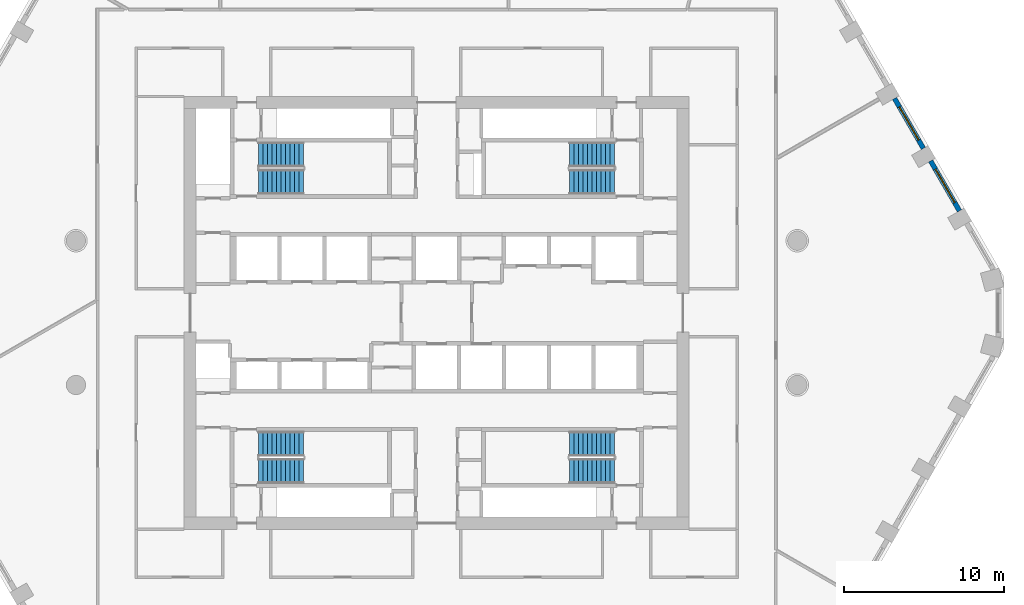
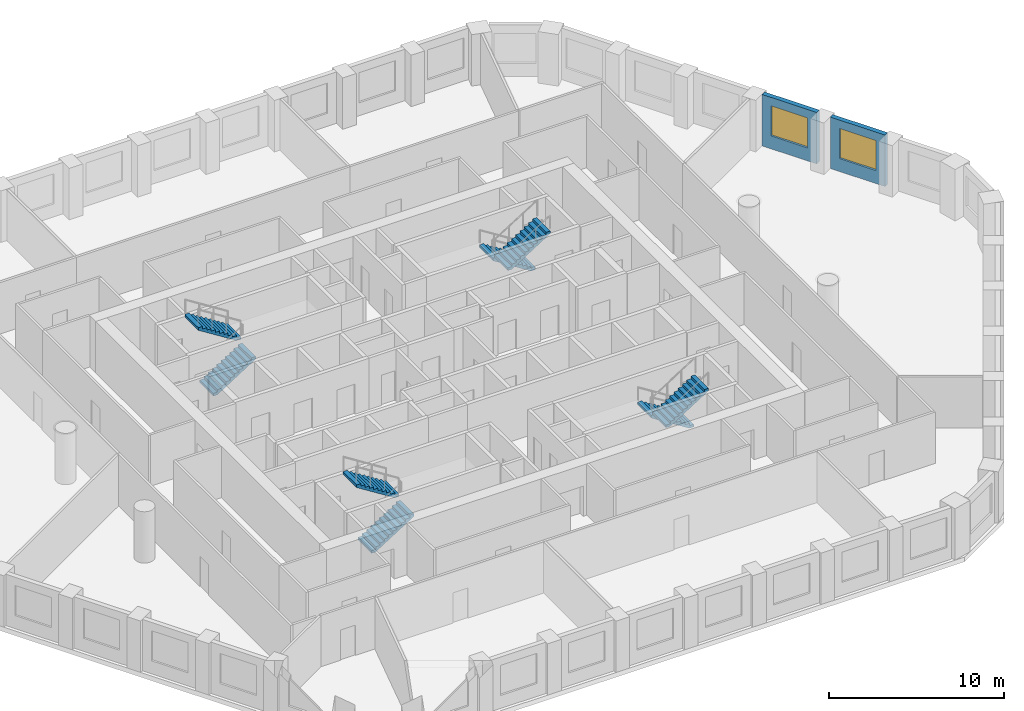
# One storey, part 9 of 14: 8 stair flights, 2 walls, 2 windows, 2 openings, 4 elements without a shape of their own.
"""IFC4 building model written with IfcOpenShell, lengths in metres."""

from ifc_helpers import new_model, si_unit, direction, frame, frame_2d, origin, place, context, subcontext, project, spatial, polyline, rectangle, outline, extrude, material, layer, layer_set, type_object, element, fill, aggregate, save


model = new_model("IFC4")

# Units and contexts
model_context = context("Model", 3, precision=1e-05, world=origin(), true_north=direction((0.0, 1.0)))
body_context = subcontext(model_context, "Body", "Model", "MODEL_VIEW")
ifc_project = project(units=[si_unit("LENGTHUNIT", "METRE"), si_unit("AREAUNIT", "SQUARE_METRE"), si_unit("VOLUMEUNIT", "CUBIC_METRE"), si_unit("PLANEANGLEUNIT", "RADIAN"), si_unit("MASSUNIT", "GRAM", prefix="KILO")], contexts=[model_context])

# Site, building, storey
site_placement = place(None, origin())
site = spatial("IfcSite", under=ifc_project, at=site_placement, CompositionType="ELEMENT")
building_placement = place(site_placement, origin())
building = spatial("IfcBuilding", under=site, at=building_placement, Name="Dhurran Vertical Campus", CompositionType="ELEMENT")
storey_placement = place(building_placement, frame((0.0, 0.0, 136.5)))
storey = spatial("IfcBuildingStorey", under=building, at=storey_placement, Name="L33", CompositionType="ELEMENT", Elevation=136.5)

# Wall, opening, window
ifc_material_1 = material(Name="Precast concrete C50/60", Category="concrete")
ifc_layer = layer(ifc_material_1, 0.300048828125)
ifc_layer_set = layer_set([ifc_layer], Name="Precast concrete C50/60")
wall_type = type_object("IfcWallType", Name="Precast spandrel wall 300", PredefinedType="SOLIDWALL", material=ifc_layer_set)
wall_1_placement = place(storey_placement, frame((32.618896484375, 6.3623046875, 0.0), z_axis=(0.0, 0.0, 1.0), x_axis=(-0.500027802648, 0.866009351323, 0.0)))
wall_1 = element("IfcWall", 1, at=wall_1_placement, inside=storey, type_object=wall_type, Name="EW1 L33.17", PredefinedType="SOLIDWALL", context=body_context, shape_type="SweptSolid", body=[
    extrude(rectangle(XDim=3.598876953125, YDim=0.300048828125, at=frame_2d((1.79931640625, 0.0))), origin(), (0.0, 0.0, 1.0), 3.574951171875),
])
opening_1_placement = place(wall_1_placement, frame((0.599609375, 0.0, 0.89990234375)))
opening_1 = element("IfcOpeningElement", 2, at=opening_1_placement, cuts=wall_1, Name="Opening WT1", PredefinedType="OPENING", context=body_context, shape_type="SweptSolid", body=[
    extrude(rectangle(XDim=2.39990234375, YDim=2.10009765625, at=frame_2d((1.199951171875, 1.050048828125))), frame((0.0, 0.159912109375, 0.0), z_axis=(0.0, -1.0, 0.0), x_axis=(1.0, 0.0, 0.0)), (0.0, 0.0, 1.0), 0.320068359375),
])
ifc_material_2 = material(Name="Aluminium frame with solar-control glass", Category="aluminium")
window_type = type_object("IfcWindowType", Name="Punched window 2400 x 2100", PartitioningType="SINGLE_PANEL", PredefinedType="WINDOW", material=ifc_material_2)
window_1_placement = place(opening_1_placement, origin())
window_1 = element("IfcWindow", 3, at=window_1_placement, inside=storey, type_object=window_type, Name="WT1 L33.17", OverallHeight=2.10009765625, OverallWidth=2.39990234375, PartitioningType="SINGLE_PANEL", PredefinedType="WINDOW", context=body_context, shape_type="SweptSolid", body=[
    extrude(rectangle(XDim=2.39990234375, YDim=2.10009765625, at=frame_2d((1.199951171875, 1.050048828125))), frame((0.0, 0.030029296875, 0.0), z_axis=(0.0, -1.0, 0.0), x_axis=(1.0, 0.0, 0.0)), (0.0, 0.0, 1.0), 0.06005859375),
])
fill(opening_1, window_1)

wall_2_placement = place(storey_placement, frame((30.368896484375, 10.259521484375, 0.0), z_axis=(0.0, 0.0, 1.0), x_axis=(-0.500027802648, 0.866009351323, 0.0)))
wall_2 = element("IfcWall", 4, at=wall_2_placement, inside=storey, type_object=wall_type, Name="EW1 L33.18", PredefinedType="SOLIDWALL", context=body_context, shape_type="SweptSolid", body=[
    extrude(rectangle(XDim=3.598876953125, YDim=0.300048828125, at=frame_2d((1.79931640625, 0.0))), origin(), (0.0, 0.0, 1.0), 3.574951171875),
])
opening_2_placement = place(wall_2_placement, frame((0.599609375, 0.0, 0.89990234375)))
opening_2 = element("IfcOpeningElement", 5, at=opening_2_placement, cuts=wall_2, Name="Opening WT1", PredefinedType="OPENING", context=body_context, shape_type="SweptSolid", body=[
    extrude(rectangle(XDim=2.39990234375, YDim=2.10009765625, at=frame_2d((1.199951171875, 1.050048828125))), frame((0.0, 0.159912109375, 0.0), z_axis=(0.0, -1.0, 0.0), x_axis=(1.0, 0.0, 0.0)), (0.0, 0.0, 1.0), 0.320068359375),
])
window_2_placement = place(opening_2_placement, origin())
window_2 = element("IfcWindow", 6, at=window_2_placement, inside=storey, type_object=window_type, Name="WT1 L33.18", OverallHeight=2.10009765625, OverallWidth=2.39990234375, PartitioningType="SINGLE_PANEL", PredefinedType="WINDOW", context=body_context, shape_type="SweptSolid", body=[
    extrude(rectangle(XDim=2.39990234375, YDim=2.10009765625, at=frame_2d((1.199951171875, 1.050048828125))), frame((0.0, 0.030029296875, 0.0), z_axis=(0.0, -1.0, 0.0), x_axis=(1.0, 0.0, 0.0)), (0.0, 0.0, 1.0), 0.06005859375),
])
fill(opening_2, window_2)

# Stair, stair flights
ifc_material_3 = material(Name="Concrete C40/50", Category="concrete")
stair_type = type_object("IfcStairType", Name="co-ST-CORE", PredefinedType="HALF_TURN_STAIR", material=ifc_material_3)
stair_1_placement = place(storey_placement, origin())
stair_1 = element("IfcStair", 7, at=stair_1_placement, inside=storey, type_object=stair_type, Name="L33 Protected exit stair ST1", PredefinedType="HALF_TURN_STAIR")
ifc_material_4 = material(Name="Concrete C40/50", Category="concrete")
stair_flight_type = type_object("IfcStairFlightType", Name="co-SFL-RC", PredefinedType="STRAIGHT", material=ifc_material_4)
stair_flight_1_placement = place(storey_placement, frame((-11.10009765625, 8.175048828125, 0.0), z_axis=(0.0, 0.0, 1.0), x_axis=(1.0, 0.0, 0.0)))
stair_flight_1 = element("IfcStairFlight", 8, at=stair_flight_1_placement, type_object=stair_flight_type, Name="ST1 flight 1", NumberOfRisers=11, NumberOfTreads=10, PredefinedType="STRAIGHT", RiserHeight=0.177272727, TreadLength=0.28, context=body_context, shape_type="SweptSolid", body=[
    extrude(outline(polyline([(0.0, 0.0), (0.0, 0.17724609375), (0.280029296875, 0.17724609375), (0.280029296875, 0.3544921875), (0.56005859375, 0.3544921875), (0.56005859375, 0.53173828125), (0.840087890625, 0.53173828125), (0.840087890625, 0.708984375), (1.1201171875, 0.708984375), (1.1201171875, 0.886474609375), (1.39990234375, 0.886474609375), (1.39990234375, 1.063720703125), (1.679931640625, 1.063720703125), (1.679931640625, 1.240966796875), (1.9599609375, 1.240966796875), (1.9599609375, 1.418212890625), (2.239990234375, 1.418212890625), (2.239990234375, 1.595458984375), (2.52001953125, 1.595458984375), (2.52001953125, 1.772705078125), (2.800048828125, 1.772705078125), (2.800048828125, 1.949951171875), (2.800048828125, 1.59521484375), (0.2802734375, 0.0), (0.0, 0.0)])), frame((0.0, 0.77490234375, 0.0), z_axis=(0.0, -1.0, 0.0), x_axis=(1.0, 0.0, 0.0)), (0.0, 0.0, 1.0), 1.550048828125),
])
stair_flight_2_placement = place(storey_placement, frame((-8.300048828125, 9.875, 1.949951171875), z_axis=(0.0, 0.0, 1.0), x_axis=(-1.0, 0.0, 0.0)))
stair_flight_2 = element("IfcStairFlight", 9, at=stair_flight_2_placement, type_object=stair_flight_type, Name="ST1 flight 2", NumberOfRisers=11, NumberOfTreads=10, PredefinedType="STRAIGHT", RiserHeight=0.177272727, TreadLength=0.28, context=body_context, shape_type="SweptSolid", body=[
    extrude(outline(polyline([(0.0, 0.0), (0.0, 0.17724609375), (0.280029296875, 0.17724609375), (0.280029296875, 0.3544921875), (0.56005859375, 0.3544921875), (0.56005859375, 0.53173828125), (0.840087890625, 0.53173828125), (0.840087890625, 0.708984375), (1.1201171875, 0.708984375), (1.1201171875, 0.886474609375), (1.39990234375, 0.886474609375), (1.39990234375, 1.063720703125), (1.679931640625, 1.063720703125), (1.679931640625, 1.240966796875), (1.9599609375, 1.240966796875), (1.9599609375, 1.418212890625), (2.239990234375, 1.418212890625), (2.239990234375, 1.595458984375), (2.52001953125, 1.595458984375), (2.52001953125, 1.772705078125), (2.800048828125, 1.772705078125), (2.800048828125, 1.949951171875), (2.800048828125, 1.59521484375), (0.2802734375, 0.0), (0.0, 0.0)])), frame((0.0, 0.77490234375, 0.0), z_axis=(0.0, -1.0, 0.0), x_axis=(1.0, 0.0, 0.0)), (0.0, 0.0, 1.0), 1.550048828125),
])
aggregate(stair_1, [stair_flight_1, stair_flight_2])

stair_2_placement = place(storey_placement, origin())
stair_2 = element("IfcStair", 10, at=stair_2_placement, inside=storey, type_object=stair_type, Name="L33 Protected exit stair ST2", PredefinedType="HALF_TURN_STAIR")
stair_flight_3_placement = place(storey_placement, frame((11.10009765625, 9.875, 0.0), z_axis=(0.0, 0.0, 1.0), x_axis=(-1.0, 0.0, 0.0)))
stair_flight_3 = element("IfcStairFlight", 11, at=stair_flight_3_placement, type_object=stair_flight_type, Name="ST2 flight 1", NumberOfRisers=11, NumberOfTreads=10, PredefinedType="STRAIGHT", RiserHeight=0.177272727, TreadLength=0.28, context=body_context, shape_type="SweptSolid", body=[
    extrude(outline(polyline([(0.0, 0.0), (0.0, 0.17724609375), (0.280029296875, 0.17724609375), (0.280029296875, 0.3544921875), (0.56005859375, 0.3544921875), (0.56005859375, 0.53173828125), (0.840087890625, 0.53173828125), (0.840087890625, 0.708984375), (1.1201171875, 0.708984375), (1.1201171875, 0.886474609375), (1.39990234375, 0.886474609375), (1.39990234375, 1.063720703125), (1.679931640625, 1.063720703125), (1.679931640625, 1.240966796875), (1.9599609375, 1.240966796875), (1.9599609375, 1.418212890625), (2.239990234375, 1.418212890625), (2.239990234375, 1.595458984375), (2.52001953125, 1.595458984375), (2.52001953125, 1.772705078125), (2.800048828125, 1.772705078125), (2.800048828125, 1.949951171875), (2.800048828125, 1.59521484375), (0.2802734375, 0.0), (0.0, 0.0)])), frame((0.0, 0.77490234375, 0.0), z_axis=(0.0, -1.0, 0.0), x_axis=(1.0, 0.0, 0.0)), (0.0, 0.0, 1.0), 1.550048828125),
])
stair_flight_4_placement = place(storey_placement, frame((8.300048828125, 8.175048828125, 1.949951171875), z_axis=(0.0, 0.0, 1.0), x_axis=(1.0, 0.0, 0.0)))
stair_flight_4 = element("IfcStairFlight", 12, at=stair_flight_4_placement, type_object=stair_flight_type, Name="ST2 flight 2", NumberOfRisers=11, NumberOfTreads=10, PredefinedType="STRAIGHT", RiserHeight=0.177272727, TreadLength=0.28, context=body_context, shape_type="SweptSolid", body=[
    extrude(outline(polyline([(0.0, 0.0), (0.0, 0.17724609375), (0.280029296875, 0.17724609375), (0.280029296875, 0.3544921875), (0.56005859375, 0.3544921875), (0.56005859375, 0.53173828125), (0.840087890625, 0.53173828125), (0.840087890625, 0.708984375), (1.1201171875, 0.708984375), (1.1201171875, 0.886474609375), (1.39990234375, 0.886474609375), (1.39990234375, 1.063720703125), (1.679931640625, 1.063720703125), (1.679931640625, 1.240966796875), (1.9599609375, 1.240966796875), (1.9599609375, 1.418212890625), (2.239990234375, 1.418212890625), (2.239990234375, 1.595458984375), (2.52001953125, 1.595458984375), (2.52001953125, 1.772705078125), (2.800048828125, 1.772705078125), (2.800048828125, 1.949951171875), (2.800048828125, 1.59521484375), (0.2802734375, 0.0), (0.0, 0.0)])), frame((0.0, 0.77490234375, 0.0), z_axis=(0.0, -1.0, 0.0), x_axis=(1.0, 0.0, 0.0)), (0.0, 0.0, 1.0), 1.550048828125),
])
aggregate(stair_2, [stair_flight_3, stair_flight_4])

stair_3_placement = place(storey_placement, origin())
stair_3 = element("IfcStair", 13, at=stair_3_placement, inside=storey, type_object=stair_type, Name="L33 Protected exit stair ST3", PredefinedType="HALF_TURN_STAIR")
stair_flight_5_placement = place(storey_placement, frame((-11.10009765625, -9.875, 0.0), z_axis=(0.0, 0.0, 1.0), x_axis=(1.0, 0.0, 0.0)))
stair_flight_5 = element("IfcStairFlight", 14, at=stair_flight_5_placement, type_object=stair_flight_type, Name="ST3 flight 1", NumberOfRisers=11, NumberOfTreads=10, PredefinedType="STRAIGHT", RiserHeight=0.177272727, TreadLength=0.28, context=body_context, shape_type="SweptSolid", body=[
    extrude(outline(polyline([(0.0, 0.0), (0.0, 0.17724609375), (0.280029296875, 0.17724609375), (0.280029296875, 0.3544921875), (0.56005859375, 0.3544921875), (0.56005859375, 0.53173828125), (0.840087890625, 0.53173828125), (0.840087890625, 0.708984375), (1.1201171875, 0.708984375), (1.1201171875, 0.886474609375), (1.39990234375, 0.886474609375), (1.39990234375, 1.063720703125), (1.679931640625, 1.063720703125), (1.679931640625, 1.240966796875), (1.9599609375, 1.240966796875), (1.9599609375, 1.418212890625), (2.239990234375, 1.418212890625), (2.239990234375, 1.595458984375), (2.52001953125, 1.595458984375), (2.52001953125, 1.772705078125), (2.800048828125, 1.772705078125), (2.800048828125, 1.949951171875), (2.800048828125, 1.59521484375), (0.2802734375, 0.0), (0.0, 0.0)])), frame((0.0, 0.77490234375, 0.0), z_axis=(0.0, -1.0, 0.0), x_axis=(1.0, 0.0, 0.0)), (0.0, 0.0, 1.0), 1.550048828125),
])
stair_flight_6_placement = place(storey_placement, frame((-8.300048828125, -8.175048828125, 1.949951171875), z_axis=(0.0, 0.0, 1.0), x_axis=(-1.0, 0.0, 0.0)))
stair_flight_6 = element("IfcStairFlight", 15, at=stair_flight_6_placement, type_object=stair_flight_type, Name="ST3 flight 2", NumberOfRisers=11, NumberOfTreads=10, PredefinedType="STRAIGHT", RiserHeight=0.177272727, TreadLength=0.28, context=body_context, shape_type="SweptSolid", body=[
    extrude(outline(polyline([(0.0, 0.0), (0.0, 0.17724609375), (0.280029296875, 0.17724609375), (0.280029296875, 0.3544921875), (0.56005859375, 0.3544921875), (0.56005859375, 0.53173828125), (0.840087890625, 0.53173828125), (0.840087890625, 0.708984375), (1.1201171875, 0.708984375), (1.1201171875, 0.886474609375), (1.39990234375, 0.886474609375), (1.39990234375, 1.063720703125), (1.679931640625, 1.063720703125), (1.679931640625, 1.240966796875), (1.9599609375, 1.240966796875), (1.9599609375, 1.418212890625), (2.239990234375, 1.418212890625), (2.239990234375, 1.595458984375), (2.52001953125, 1.595458984375), (2.52001953125, 1.772705078125), (2.800048828125, 1.772705078125), (2.800048828125, 1.949951171875), (2.800048828125, 1.59521484375), (0.2802734375, 0.0), (0.0, 0.0)])), frame((0.0, 0.77490234375, 0.0), z_axis=(0.0, -1.0, 0.0), x_axis=(1.0, 0.0, 0.0)), (0.0, 0.0, 1.0), 1.550048828125),
])
aggregate(stair_3, [stair_flight_5, stair_flight_6])

stair_4_placement = place(storey_placement, origin())
stair_4 = element("IfcStair", 16, at=stair_4_placement, inside=storey, type_object=stair_type, Name="L33 Protected exit stair ST4", PredefinedType="HALF_TURN_STAIR")
stair_flight_7_placement = place(storey_placement, frame((11.10009765625, -8.175048828125, 0.0), z_axis=(0.0, 0.0, 1.0), x_axis=(-1.0, 0.0, 0.0)))
stair_flight_7 = element("IfcStairFlight", 17, at=stair_flight_7_placement, type_object=stair_flight_type, Name="ST4 flight 1", NumberOfRisers=11, NumberOfTreads=10, PredefinedType="STRAIGHT", RiserHeight=0.177272727, TreadLength=0.28, context=body_context, shape_type="SweptSolid", body=[
    extrude(outline(polyline([(0.0, 0.0), (0.0, 0.17724609375), (0.280029296875, 0.17724609375), (0.280029296875, 0.3544921875), (0.56005859375, 0.3544921875), (0.56005859375, 0.53173828125), (0.840087890625, 0.53173828125), (0.840087890625, 0.708984375), (1.1201171875, 0.708984375), (1.1201171875, 0.886474609375), (1.39990234375, 0.886474609375), (1.39990234375, 1.063720703125), (1.679931640625, 1.063720703125), (1.679931640625, 1.240966796875), (1.9599609375, 1.240966796875), (1.9599609375, 1.418212890625), (2.239990234375, 1.418212890625), (2.239990234375, 1.595458984375), (2.52001953125, 1.595458984375), (2.52001953125, 1.772705078125), (2.800048828125, 1.772705078125), (2.800048828125, 1.949951171875), (2.800048828125, 1.59521484375), (0.2802734375, 0.0), (0.0, 0.0)])), frame((0.0, 0.77490234375, 0.0), z_axis=(0.0, -1.0, 0.0), x_axis=(1.0, 0.0, 0.0)), (0.0, 0.0, 1.0), 1.550048828125),
])
stair_flight_8_placement = place(storey_placement, frame((8.300048828125, -9.875, 1.949951171875), z_axis=(0.0, 0.0, 1.0), x_axis=(1.0, 0.0, 0.0)))
stair_flight_8 = element("IfcStairFlight", 18, at=stair_flight_8_placement, type_object=stair_flight_type, Name="ST4 flight 2", NumberOfRisers=11, NumberOfTreads=10, PredefinedType="STRAIGHT", RiserHeight=0.177272727, TreadLength=0.28, context=body_context, shape_type="SweptSolid", body=[
    extrude(outline(polyline([(0.0, 0.0), (0.0, 0.17724609375), (0.280029296875, 0.17724609375), (0.280029296875, 0.3544921875), (0.56005859375, 0.3544921875), (0.56005859375, 0.53173828125), (0.840087890625, 0.53173828125), (0.840087890625, 0.708984375), (1.1201171875, 0.708984375), (1.1201171875, 0.886474609375), (1.39990234375, 0.886474609375), (1.39990234375, 1.063720703125), (1.679931640625, 1.063720703125), (1.679931640625, 1.240966796875), (1.9599609375, 1.240966796875), (1.9599609375, 1.418212890625), (2.239990234375, 1.418212890625), (2.239990234375, 1.595458984375), (2.52001953125, 1.595458984375), (2.52001953125, 1.772705078125), (2.800048828125, 1.772705078125), (2.800048828125, 1.949951171875), (2.800048828125, 1.59521484375), (0.2802734375, 0.0), (0.0, 0.0)])), frame((0.0, 0.77490234375, 0.0), z_axis=(0.0, -1.0, 0.0), x_axis=(1.0, 0.0, 0.0)), (0.0, 0.0, 1.0), 1.550048828125),
])
aggregate(stair_4, [stair_flight_7, stair_flight_8])

save(model, "model.ifc")
